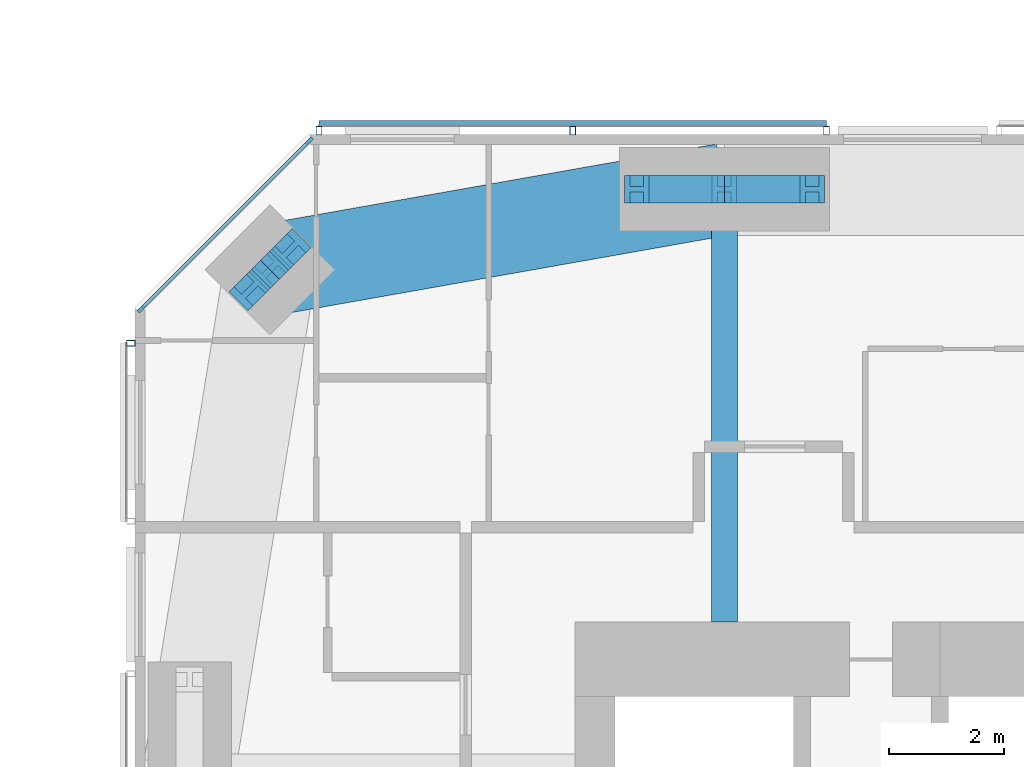
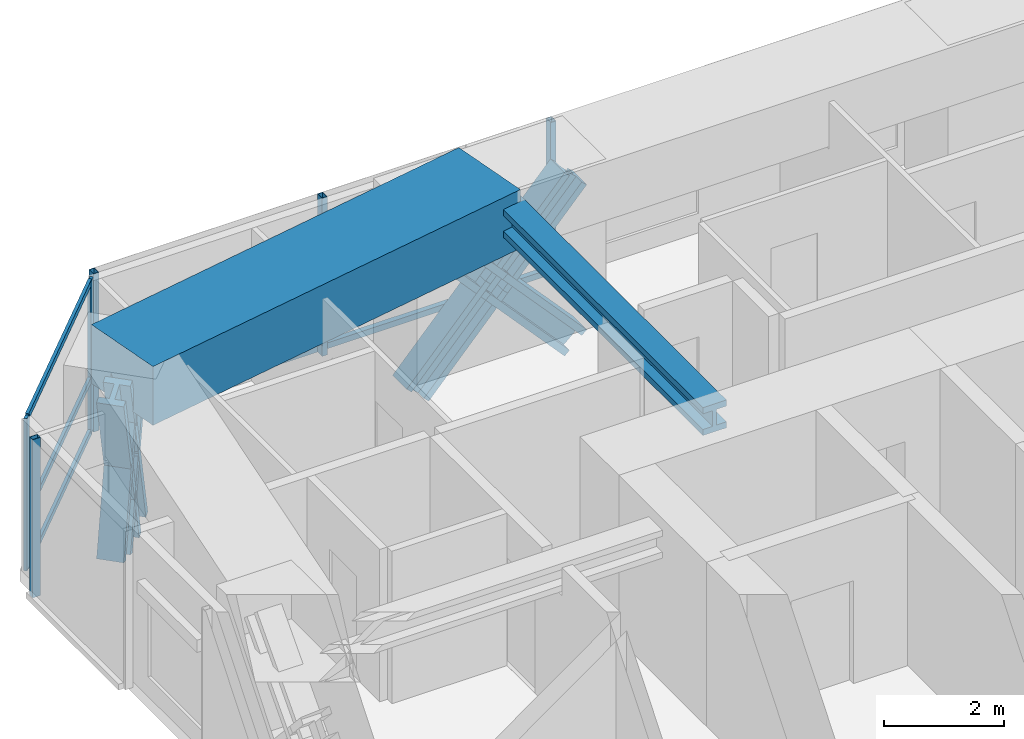
# One storey, part 10 of 22: 18 members, 2 beams, 3 elements without a shape of their own.
"""IFC4 building model written with IfcOpenShell, lengths in metres."""

from ifc_helpers import new_model, si_unit, direction, frame, origin, origin_2d, place, context, subcontext, project, spatial, rectangle, hollow_rectangle, i_section, extrude, material, material_profile, profile_set, type_object, element, aggregate, save


model = new_model("IFC4")

# Units and contexts
model_context = context("Model", 3, precision=1e-05, world=origin(), true_north=direction((0.0, 1.0)))
body_context = subcontext(model_context, "Body", "Model", "MODEL_VIEW")
ifc_project = project(units=[si_unit("LENGTHUNIT", "METRE"), si_unit("AREAUNIT", "SQUARE_METRE"), si_unit("VOLUMEUNIT", "CUBIC_METRE"), si_unit("PLANEANGLEUNIT", "RADIAN"), si_unit("MASSUNIT", "GRAM", prefix="KILO")], contexts=[model_context])

# Site, building, storey
site_placement = place(None, origin())
site = spatial("IfcSite", under=ifc_project, at=site_placement, CompositionType="ELEMENT")
building_placement = place(site_placement, origin())
building = spatial("IfcBuilding", under=site, at=building_placement, Name="Jalousie Tower", CompositionType="ELEMENT")
storey_placement = place(building_placement, frame((0.0, 0.0, 201.25)))
storey = spatial("IfcBuildingStorey", under=building, at=storey_placement, Name="L55", CompositionType="ELEMENT", Elevation=201.25)

# Curtain wall, members
ifc_material_1 = material(Name="Aluminium curtain wall", Category="aluminium")
curtain_wall_type_1 = type_object("IfcCurtainWallType", Name="CORNER WINDOW WALL", PredefinedType="USERDEFINED", material=ifc_material_1)
curtain_wall_1_placement = place(storey_placement, origin())
curtain_wall_1 = element("IfcCurtainWall", 1, at=curtain_wall_1_placement, inside=storey, type_object=curtain_wall_type_1, Name="Corner Window Wall L55 6", ObjectType="CORNER WINDOW WALL", PredefinedType="USERDEFINED")
ifc_material_2 = material(Name="Aluminium mullion", Category="aluminium")
ifc_material_profile_1 = material_profile(ifc_material_2, rectangle(XDim=0.06005859375, YDim=0.14990234375, at=origin_2d()), Name="MULLION 60x150")
ifc_profile_set_1 = profile_set([ifc_material_profile_1], Name="Aluminium mullion")
member_type_1 = type_object("IfcMemberType", Name="CORNER WINDOW WALL MULLION", PredefinedType="MULLION", material=ifc_profile_set_1)
member_1_placement = place(storey_placement, frame((15.030029296875, 35.891357421875, 0.0), z_axis=(0.0, 0.0, 1.0), x_axis=(0.707106781187, -0.707106781187, 0.0)))
member_1 = element("IfcMember", 2, at=member_1_placement, type_object=member_type_1, Name="CW-C mullion 1", PredefinedType="MULLION", context=body_context, shape_type="SweptSolid", body=[
    extrude(rectangle(XDim=0.06005859375, YDim=0.14990234375, at=origin_2d()), origin(), (0.0, 0.0, 1.0), 3.110107421875),
])
member_2_placement = place(storey_placement, frame((12.108642578125, 32.969970703125, 0.0), z_axis=(0.0, 0.0, 1.0), x_axis=(0.707106781187, -0.707106781187, 0.0)))
member_2 = element("IfcMember", 3, at=member_2_placement, type_object=member_type_1, Name="CW-C mullion 2", PredefinedType="MULLION", context=body_context, shape_type="SweptSolid", body=[
    extrude(rectangle(XDim=0.06005859375, YDim=0.14990234375, at=origin_2d()), origin(), (0.0, 0.0, 1.0), 3.110107421875),
])
ifc_material_3 = material(Name="Aluminium transom", Category="aluminium")
ifc_material_profile_2 = material_profile(ifc_material_3, rectangle(XDim=0.06005859375, YDim=0.1201171875, at=origin_2d()), Name="TRANSOM 60x120")
ifc_profile_set_2 = profile_set([ifc_material_profile_2], Name="Aluminium transom")
member_type_2 = type_object("IfcMemberType", Name="CORNER WINDOW WALL TRANSOM", PredefinedType="USERDEFINED", material=ifc_profile_set_2)
member_3_placement = place(storey_placement, frame((15.0087890625, 35.8701171875, 0.030029296875), z_axis=(-0.707106781187, -0.707106781187, 0.0), x_axis=(0.707106781187, -0.707106781187, 0.0)))
member_3 = element("IfcMember", 4, at=member_3_placement, type_object=member_type_2, Name="CW-C transom 1.1", ObjectType="TRANSOM", PredefinedType="USERDEFINED", context=body_context, shape_type="SweptSolid", body=[
    extrude(rectangle(XDim=0.06005859375, YDim=0.1201171875, at=origin_2d()), origin(), (0.0, 0.0, 1.0), 4.0712890625),
])
member_4_placement = place(storey_placement, frame((15.0087890625, 35.8701171875, 1.10009765625), z_axis=(-0.707106781187, -0.707106781187, 0.0), x_axis=(0.707106781187, -0.707106781187, 0.0)))
member_4 = element("IfcMember", 5, at=member_4_placement, type_object=member_type_2, Name="CW-C transom 1.2", ObjectType="TRANSOM", PredefinedType="USERDEFINED", context=body_context, shape_type="SweptSolid", body=[
    extrude(rectangle(XDim=0.06005859375, YDim=0.1201171875, at=origin_2d()), origin(), (0.0, 0.0, 1.0), 4.0712890625),
])
member_5_placement = place(storey_placement, frame((15.0087890625, 35.8701171875, 3.080078125), z_axis=(-0.707106781187, -0.707106781187, 0.0), x_axis=(0.707106781187, -0.707106781187, 0.0)))
member_5 = element("IfcMember", 6, at=member_5_placement, type_object=member_type_2, Name="CW-C transom 1.3", ObjectType="TRANSOM", PredefinedType="USERDEFINED", context=body_context, shape_type="SweptSolid", body=[
    extrude(rectangle(XDim=0.06005859375, YDim=0.1201171875, at=origin_2d()), origin(), (0.0, 0.0, 1.0), 4.0712890625),
])
aggregate(curtain_wall_1, [member_1, member_2, member_3, member_4, member_5])

# Beam
ifc_material_4 = material(Name="Steel ASTM A992 Grade 50", Category="steel")
ifc_material_profile_3 = material_profile(ifc_material_4, i_section(OverallWidth=0.45458984375, OverallDepth=0.569091796875, WebThickness=0.077880859375, FlangeThickness=0.124755859375, at=origin_2d()), Name="W14X730")
ifc_profile_set_3 = profile_set([ifc_material_profile_3], Name="Steel ASTM A992 Grade 50")
beam_type_1 = type_object("IfcBeamType", Name="LEAN COLLECTOR W14X730", PredefinedType="BEAM", material=ifc_profile_set_3)
beam_1_placement = place(storey_placement, frame((22.25, 35.050048828125, 2.825439453125), z_axis=(0.0, -1.0, 0.0), x_axis=(1.0, 0.0, 0.0)))
element("IfcBeam", 7, at=beam_1_placement, inside=storey, type_object=beam_type_1, Name="Lean collector under L56", PredefinedType="BEAM", context=body_context, shape_type="SweptSolid", body=[
    extrude(i_section(OverallWidth=0.45458984375, OverallDepth=0.569091796875, WebThickness=0.077880859375, FlangeThickness=0.124755859375, at=origin_2d()), origin(), (0.0, 0.0, 1.0), 7.525146484375),
])

# Members
ifc_material_5 = material(Name="Steel ASTM A992 Grade 50", Category="steel")
ifc_material_profile_4 = material_profile(ifc_material_5, i_section(OverallWidth=0.472412109375, OverallDepth=0.5791015625, WebThickness=0.094970703125, FlangeThickness=0.1298828125, at=origin_2d()), Name="W14X808")
ifc_profile_set_4 = profile_set([ifc_material_profile_4], Name="Steel ASTM A992 Grade 50")
member_type_3 = type_object("IfcMemberType", Name="PERIMETER BRACE W14X808", PredefinedType="BRACE", material=ifc_profile_set_4)
for number, where, z_axis, x_axis, name in (
    (8, (20.72509765625, 35.050048828125, -0.60009765625), (0.673187629365, 0.0, 0.739471713908), (0.0, 1.0, 0.0), "Perimeter brace 11 L55 part 1"),
    (9, (22.25, 35.050048828125, 1.074951171875), (0.673187629365, 0.0, 0.739471713908), (0.0, 1.0, 0.0), "Perimeter brace 11 L55 part 2"),
    (10, (23.77490234375, 35.050048828125, -0.60009765625), (-0.673187629365, 0.0, 0.739471713908), (0.0, -1.0, 0.0), "Perimeter brace 11 L55 part 3"),
    (11, (22.25, 35.050048828125, 1.074951171875), (-0.673187629365, 0.0, 0.739471713908), (0.0, -1.0, 0.0), "Perimeter brace 11 L55 part 4"),
):
    element("IfcMember", number, at=place(storey_placement, frame(where, z_axis=z_axis, x_axis=x_axis)), inside=storey, type_object=member_type_3, Name=name, PredefinedType="BRACE", context=body_context, shape_type="SweptSolid", body=[
        extrude(i_section(OverallWidth=0.472412109375, OverallDepth=0.5791015625, WebThickness=0.094970703125, FlangeThickness=0.1298828125, at=origin_2d()), origin(), (0.0, 0.0, 1.0), 2.26513671875),
    ])
for number, where, z_axis, x_axis, name in (
    (12, (14.7021484375, 34.0048828125, -0.60009765625), (-0.202372069365, -0.202092742837, 0.958229653493), (0.706618279267, -0.707594945859, 0.0), "Perimeter brace 12 L55 part 1"),
    (13, (14.348388671875, 33.651611328125, 1.074951171875), (-0.202092742837, -0.202372069365, 0.958229653493), (0.707594945859, -0.706618279267, 0.0), "Perimeter brace 12 L55 part 2"),
    (14, (13.9951171875, 33.2978515625, -0.60009765625), (0.202092742837, 0.202372069365, 0.958229653493), (-0.707594945859, 0.706618279267, 0.0), "Perimeter brace 12 L55 part 3"),
    (15, (14.348388671875, 33.651611328125, 1.074951171875), (0.202372069365, 0.202092742837, 0.958229653493), (-0.706618279267, 0.707594945859, 0.0), "Perimeter brace 12 L55 part 4"),
):
    element("IfcMember", number, at=place(storey_placement, frame(where, z_axis=z_axis, x_axis=x_axis)), inside=storey, type_object=member_type_3, Name=name, PredefinedType="BRACE", context=body_context, shape_type="SweptSolid", body=[
        extrude(i_section(OverallWidth=0.472412109375, OverallDepth=0.5791015625, WebThickness=0.094970703125, FlangeThickness=0.1298828125, at=origin_2d()), origin(), (0.0, 0.0, 1.0), 1.748046875),
    ])

# Beam
ifc_material_6 = material(Name="Concrete f'c 40 MPa", Category="concrete")
ifc_material_profile_5 = material_profile(ifc_material_6, rectangle(XDim=1.60009765625, YDim=1.199951171875, at=origin_2d()), Name="RC 1600x1200")
ifc_profile_set_5 = profile_set([ifc_material_profile_5], Name="Concrete f'c 40 MPa")
beam_type_2 = type_object("IfcBeamType", Name="RC BEAM 1600x1200", PredefinedType="BEAM", material=ifc_profile_set_5)
beam_2_placement = place(storey_placement, frame((22.25, 35.050048828125, 2.75), z_axis=(-0.984697370688, -0.174273027632, 0.0), x_axis=(0.174273027632, -0.984697370688, 0.0)))
element("IfcBeam", 16, at=beam_2_placement, inside=storey, type_object=beam_type_2, Name="Edge band beam 11-12 under L56", PredefinedType="BEAM", context=body_context, shape_type="SweptSolid", body=[
    extrude(rectangle(XDim=1.60009765625, YDim=1.199951171875, at=origin_2d()), origin(), (0.0, 0.0, 1.0), 8.0244140625),
])

# Curtain wall, members
ifc_material_7 = material(Name="Perforated aluminium sheet", Category="aluminium")
curtain_wall_type_2 = type_object("IfcCurtainWallType", Name="SOLAR SCREEN SS-1", PredefinedType="USERDEFINED", material=ifc_material_7)
curtain_wall_2_placement = place(storey_placement, origin())
curtain_wall_2 = element("IfcCurtainWall", 17, at=curtain_wall_2_placement, inside=storey, type_object=curtain_wall_type_2, Name="Solar screen L55", ObjectType="SOLAR SCREEN SS-1", PredefinedType="USERDEFINED")
ifc_material_8 = material(Name="Steel ASTM A500 Grade C", Category="steel")
ifc_material_profile_6 = material_profile(ifc_material_8, hollow_rectangle(XDim=0.1015625, YDim=0.15234375, WallThickness=0.00634765625, at=origin_2d()), Name="HSS6X4X1/4")
ifc_profile_set_6 = profile_set([ifc_material_profile_6], Name="Steel ASTM A500 Grade C")
member_type_4 = type_object("IfcMemberType", Name="SOLAR SCREEN SS-1 MULLION", PredefinedType="MULLION", material=ifc_profile_set_6)
member_6_placement = place(storey_placement, frame((24.02490234375, 36.0712890625, -0.1201171875), z_axis=(0.0, 0.0, 1.0), x_axis=(-1.0, 0.0, 0.0)))
member_6 = element("IfcMember", 18, at=member_6_placement, type_object=member_type_4, Name="SS1 post 1", PredefinedType="MULLION", context=body_context, shape_type="SweptSolid", body=[
    extrude(hollow_rectangle(XDim=0.1015625, YDim=0.15234375, WallThickness=0.00634765625, at=origin_2d()), origin(), (0.0, 0.0, 1.0), 3.230224609375),
])
member_7_placement = place(storey_placement, frame((19.612548828125, 36.0712890625, -0.1201171875), z_axis=(0.0, 0.0, 1.0), x_axis=(-1.0, 0.0, 0.0)))
member_7 = element("IfcMember", 19, at=member_7_placement, type_object=member_type_4, Name="SS1 post 2", PredefinedType="MULLION", context=body_context, shape_type="SweptSolid", body=[
    extrude(hollow_rectangle(XDim=0.1015625, YDim=0.15234375, WallThickness=0.00634765625, at=origin_2d()), origin(), (0.0, 0.0, 1.0), 3.230224609375),
])
member_8_placement = place(storey_placement, frame((15.199951171875, 36.0712890625, -0.1201171875), z_axis=(0.0, 0.0, 1.0), x_axis=(-1.0, 0.0, 0.0)))
member_8 = element("IfcMember", 20, at=member_8_placement, type_object=member_type_4, Name="SS1 post 3", PredefinedType="MULLION", context=body_context, shape_type="SweptSolid", body=[
    extrude(hollow_rectangle(XDim=0.1015625, YDim=0.15234375, WallThickness=0.00634765625, at=origin_2d()), origin(), (0.0, 0.0, 1.0), 3.230224609375),
])

# Curtain wall, member
curtain_wall_3_placement = place(storey_placement, origin())
curtain_wall_3 = element("IfcCurtainWall", 21, at=curtain_wall_3_placement, inside=storey, type_object=curtain_wall_type_2, Name="Solar screen L55", ObjectType="SOLAR SCREEN SS-1", PredefinedType="USERDEFINED")
member_9_placement = place(storey_placement, frame((11.9287109375, 32.3701171875, -0.1201171875), z_axis=(0.0, 0.0, 1.0), x_axis=(0.0, -1.0, 0.0)))
member_9 = element("IfcMember", 22, at=member_9_placement, type_object=member_type_4, Name="SS1 post 1", PredefinedType="MULLION", context=body_context, shape_type="SweptSolid", body=[
    extrude(hollow_rectangle(XDim=0.1015625, YDim=0.15234375, WallThickness=0.00634765625, at=origin_2d()), origin(), (0.0, 0.0, 1.0), 3.230224609375),
])
aggregate(curtain_wall_3, [member_9])

# Member
ifc_material_9 = material(Name="Extruded aluminium screen rail", Category="aluminium")
ifc_material_profile_7 = material_profile(ifc_material_9, rectangle(XDim=0.1015625, YDim=0.1201171875, at=origin_2d()), Name="RAIL 102x120")
ifc_profile_set_7 = profile_set([ifc_material_profile_7], Name="Extruded aluminium screen rail")
member_type_5 = type_object("IfcMemberType", Name="SOLAR SCREEN SS-1 TRANSOM", PredefinedType="USERDEFINED", material=ifc_profile_set_7)
member_10_placement = place(storey_placement, frame((24.02490234375, 36.1982421875, -0.06005859375), z_axis=(-1.0, 0.0, 0.0), x_axis=(0.0, -1.0, 0.0)))
member_10 = element("IfcMember", 23, at=member_10_placement, type_object=member_type_5, Name="SS1 rail", ObjectType="TRANSOM", PredefinedType="USERDEFINED", context=body_context, shape_type="SweptSolid", body=[
    extrude(rectangle(XDim=0.1015625, YDim=0.1201171875, at=origin_2d()), origin(), (0.0, 0.0, 1.0), 8.824951171875),
])

aggregate(curtain_wall_2, [member_6, member_7, member_8, member_10])

save(model, "model.ifc")
